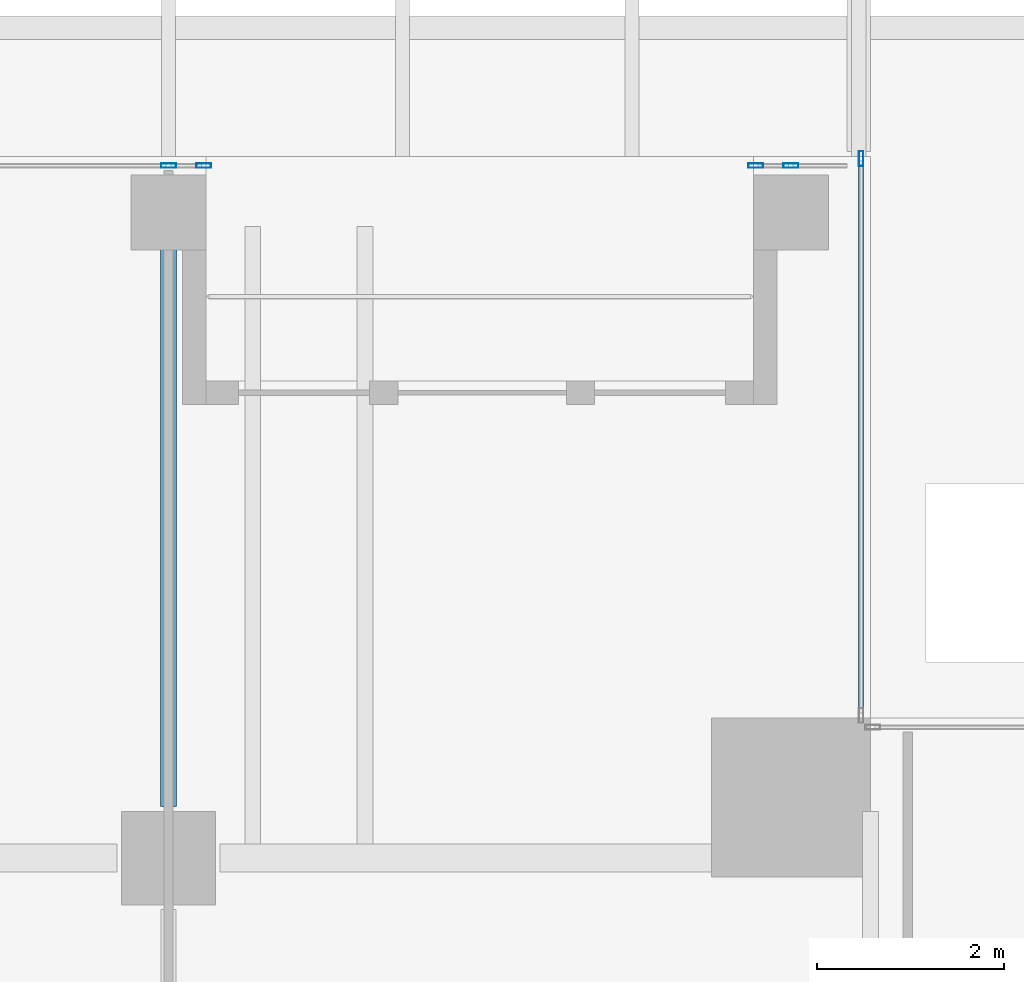
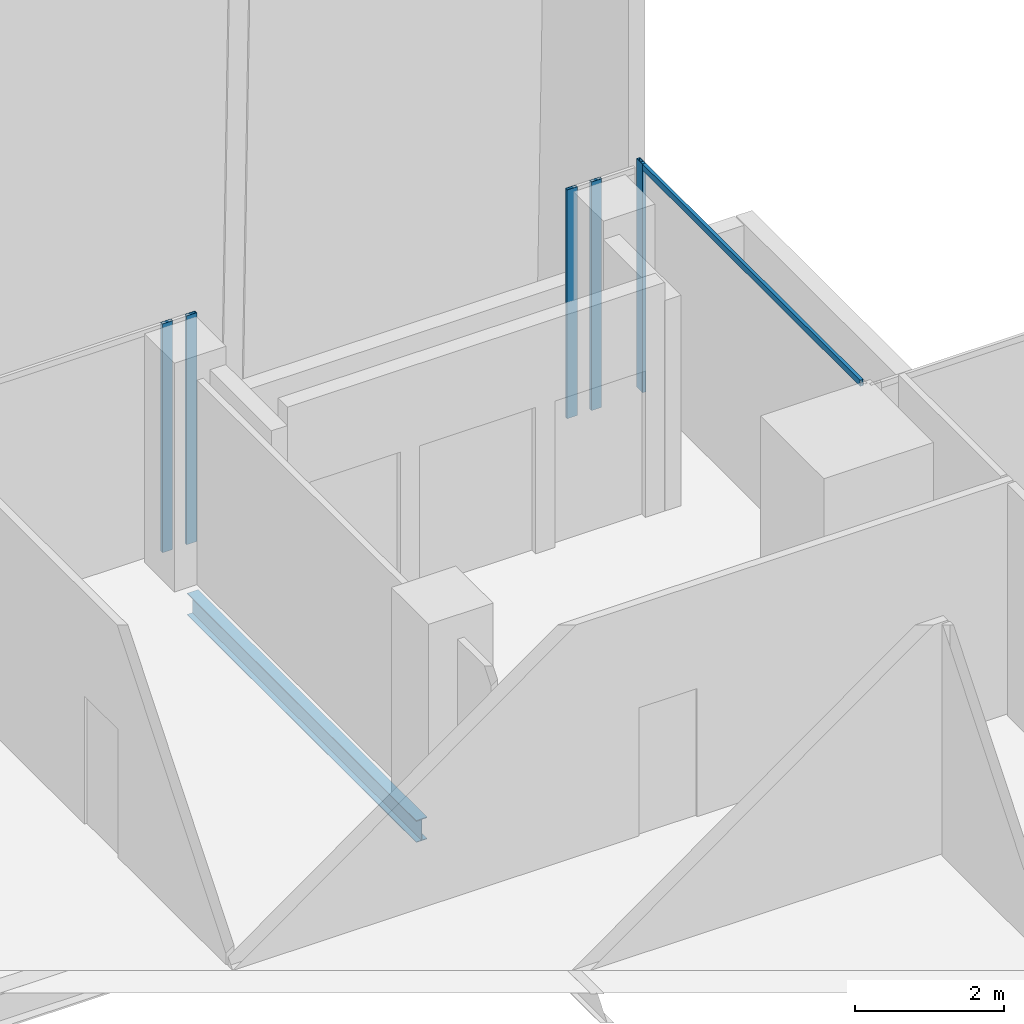
# One storey, part 18 of 32: 6 members, 1 beam, 3 elements without a shape of their own.
"""IFC4 building model written with IfcOpenShell, lengths in metres."""

from ifc_helpers import new_model, si_unit, direction, frame, origin, origin_2d, place, context, subcontext, project, spatial, hollow_rectangle, i_section, extrude, source, transform, mapped, material, material_profile, profile_set, type_object, element, aggregate, save


model = new_model("IFC4")

# Units and contexts
model_context = context("Model", 3, precision=1e-05, world=origin(), true_north=direction((0.0, 1.0)))
body_context = subcontext(model_context, "Body", "Model", "MODEL_VIEW")
ifc_project = project(units=[si_unit("LENGTHUNIT", "METRE"), si_unit("AREAUNIT", "SQUARE_METRE"), si_unit("VOLUMEUNIT", "CUBIC_METRE"), si_unit("PLANEANGLEUNIT", "RADIAN"), si_unit("MASSUNIT", "GRAM", prefix="KILO")], contexts=[model_context])

# Site, building, storey
site_placement = place(None, origin())
site = spatial("IfcSite", under=ifc_project, at=site_placement, CompositionType="ELEMENT")
building_placement = place(site_placement, origin())
building = spatial("IfcBuilding", under=site, at=building_placement, Name="Khomas Fold Tower", CompositionType="ELEMENT")
storey_placement = place(building_placement, frame((0.0, 0.0, 282.199951171875)))
storey = spatial("IfcBuildingStorey", under=building, at=storey_placement, Name="L63", CompositionType="ELEMENT", Elevation=282.199951171875)

# Beam
ifc_material_1 = material(Name="Steel S355", Category="steel")
ifc_material_profile_1 = material_profile(ifc_material_1, i_section(OverallWidth=0.169921875, OverallDepth=0.360107421875, WebThickness=0.008056640625, FlangeThickness=0.0126953125, at=origin_2d()), Name="IPE 360")
ifc_profile_set_1 = profile_set([ifc_material_profile_1], Name="Steel S355")
beam_type = type_object("IfcBeamType", Name="IPE 360 beam JB2", PredefinedType="BEAM", material=ifc_profile_set_1)
shared_shape_1 = source(origin(), body_context, "Body", "SweptSolid", [
    extrude(i_section(OverallWidth=0.169921875, OverallDepth=0.360107421875, WebThickness=0.008056640625, FlangeThickness=0.0126953125, at=origin_2d()), origin(), (0.0, 0.0, 1.0), 6.14990234375),
])
beam_placement = place(storey_placement, frame((34.5, 41.050048828125, -0.429931640625), z_axis=(0.0, 1.0, 0.0), x_axis=(-1.0, 0.0, 0.0)))
element("IfcBeam", 1, at=beam_placement, inside=storey, type_object=beam_type, Name="JB2", PredefinedType="BEAM", context=body_context, shape_type="MappedRepresentation", body=[
    mapped(shared_shape_1, transform((0.0, 0.0, 0.0))),
])

# Curtain wall, member
ifc_material_2 = material(Name="Aluminium framed double glazing", Category="aluminium")
curtain_wall_type = type_object("IfcCurtainWallType", Name="SK-Unitised clear-glass wall, upper floors CW3", PredefinedType="NOTDEFINED", material=ifc_material_2)
curtain_wall_1_placement = place(storey_placement, origin())
curtain_wall_1 = element("IfcCurtainWall", 2, at=curtain_wall_1_placement, inside=storey, type_object=curtain_wall_type, Name="CW3 corner return L63 05", PredefinedType="NOTDEFINED")
ifc_material_3 = material(Name="Aluminium", Category="aluminium")
ifc_material_profile_2 = material_profile(ifc_material_3, hollow_rectangle(XDim=0.050048828125, YDim=0.159912109375, WallThickness=0.00390625, at=origin_2d()), Name="SK-Unitised clear-glass wall, upper floors mullion CW3-M")
ifc_profile_set_2 = profile_set([ifc_material_profile_2], Name="Aluminium")
member_type_1 = type_object("IfcMemberType", Name="SK-Unitised clear-glass wall, upper floors mullion CW3-M", PredefinedType="MULLION", material=ifc_profile_set_2)
shared_shape_2 = source(origin(), body_context, "Body", "SweptSolid", [
    extrude(hollow_rectangle(XDim=0.050048828125, YDim=0.159912109375, WallThickness=0.00390625, at=origin_2d()), origin(), (0.0, 0.0, 1.0), 3.75),
])
member_1_placement = place(storey_placement, frame((41.89990234375, 47.97509765625, 0.0), z_axis=(0.0, 0.0, 1.0), x_axis=(-1.0, 0.0, 0.0)))
member_1 = element("IfcMember", 3, at=member_1_placement, type_object=member_type_1, Name="CW3 mullion 2", PredefinedType="MULLION", context=body_context, shape_type="MappedRepresentation", body=[
    mapped(shared_shape_2, transform((0.0, 0.0, 0.0))),
])

# Curtain wall, members
curtain_wall_2_placement = place(storey_placement, origin())
curtain_wall_2 = element("IfcCurtainWall", 4, at=curtain_wall_2_placement, inside=storey, type_object=curtain_wall_type, Name="CW3 run L63 06-0", PredefinedType="NOTDEFINED")
member_2_placement = place(storey_placement, frame((41.14990234375, 47.89990234375, 0.0), z_axis=(0.0, 0.0, 1.0), x_axis=(0.0, -1.0, 0.0)))
member_2 = element("IfcMember", 5, at=member_2_placement, type_object=member_type_1, Name="CW3 mullion 2", PredefinedType="MULLION", context=body_context, shape_type="MappedRepresentation", body=[
    mapped(shared_shape_2, transform((0.0, 0.0, 0.0))),
])
member_3_placement = place(storey_placement, frame((40.77490234375, 47.89990234375, 0.0), z_axis=(0.0, 0.0, 1.0), x_axis=(0.0, -1.0, 0.0)))
member_3 = element("IfcMember", 6, at=member_3_placement, type_object=member_type_1, Name="CW3 mullion 3", PredefinedType="MULLION", context=body_context, shape_type="MappedRepresentation", body=[
    mapped(shared_shape_2, transform((0.0, 0.0, 0.0))),
])
aggregate(curtain_wall_2, [member_2, member_3])

curtain_wall_3_placement = place(storey_placement, origin())
curtain_wall_3 = element("IfcCurtainWall", 7, at=curtain_wall_3_placement, inside=storey, type_object=curtain_wall_type, Name="CW3 run L63 06-1", PredefinedType="NOTDEFINED")
member_4_placement = place(storey_placement, frame((34.875, 47.89990234375, 0.0), z_axis=(0.0, 0.0, 1.0), x_axis=(0.0, -1.0, 0.0)))
member_4 = element("IfcMember", 8, at=member_4_placement, type_object=member_type_1, Name="CW3 mullion 1", PredefinedType="MULLION", context=body_context, shape_type="MappedRepresentation", body=[
    mapped(shared_shape_2, transform((0.0, 0.0, 0.0))),
])
member_5_placement = place(storey_placement, frame((34.5, 47.89990234375, 0.0), z_axis=(0.0, 0.0, 1.0), x_axis=(0.0, -1.0, 0.0)))
member_5 = element("IfcMember", 9, at=member_5_placement, type_object=member_type_1, Name="CW3 mullion 2", PredefinedType="MULLION", context=body_context, shape_type="MappedRepresentation", body=[
    mapped(shared_shape_2, transform((0.0, 0.0, 0.0))),
])
aggregate(curtain_wall_3, [member_4, member_5])

# Member
ifc_material_4 = material(Name="Aluminium", Category="aluminium")
ifc_material_profile_3 = material_profile(ifc_material_4, hollow_rectangle(XDim=0.050048828125, YDim=0.10009765625, WallThickness=0.00390625, at=origin_2d()), Name="SK-Unitised clear-glass wall, upper floors transom CW3-T")
ifc_profile_set_3 = profile_set([ifc_material_profile_3], Name="Aluminium")
member_type_2 = type_object("IfcMemberType", Name="SK-Unitised clear-glass wall, upper floors transom CW3-T", PredefinedType="USERDEFINED", material=ifc_profile_set_3)
shared_shape_3 = source(origin(), body_context, "Body", "SweptSolid", [
    extrude(hollow_rectangle(XDim=0.050048828125, YDim=0.10009765625, WallThickness=0.00390625, at=origin_2d()), origin(), (0.0, 0.0, 1.0), 5.89990234375),
])
member_6_placement = place(storey_placement, frame((41.89990234375, 42.050048828125, 3.699951171875), z_axis=(0.0, 1.0, 0.0), x_axis=(-1.0, 0.0, 0.0)))
member_6 = element("IfcMember", 10, at=member_6_placement, type_object=member_type_2, Name="CW3 transom 1", ObjectType="TRANSOM", PredefinedType="USERDEFINED", context=body_context, shape_type="MappedRepresentation", body=[
    mapped(shared_shape_3, transform((0.0, 0.0, 0.0))),
])

aggregate(curtain_wall_1, [member_1, member_6])

save(model, "model.ifc")
